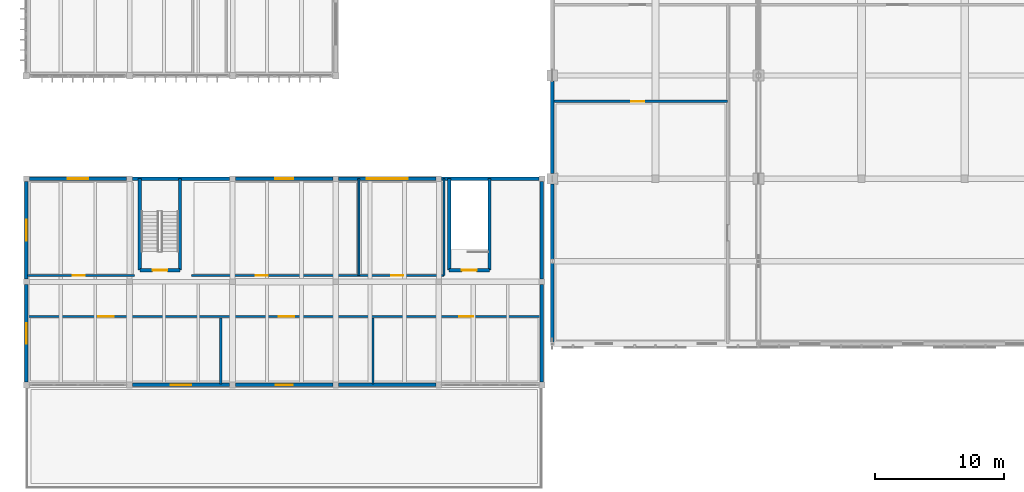
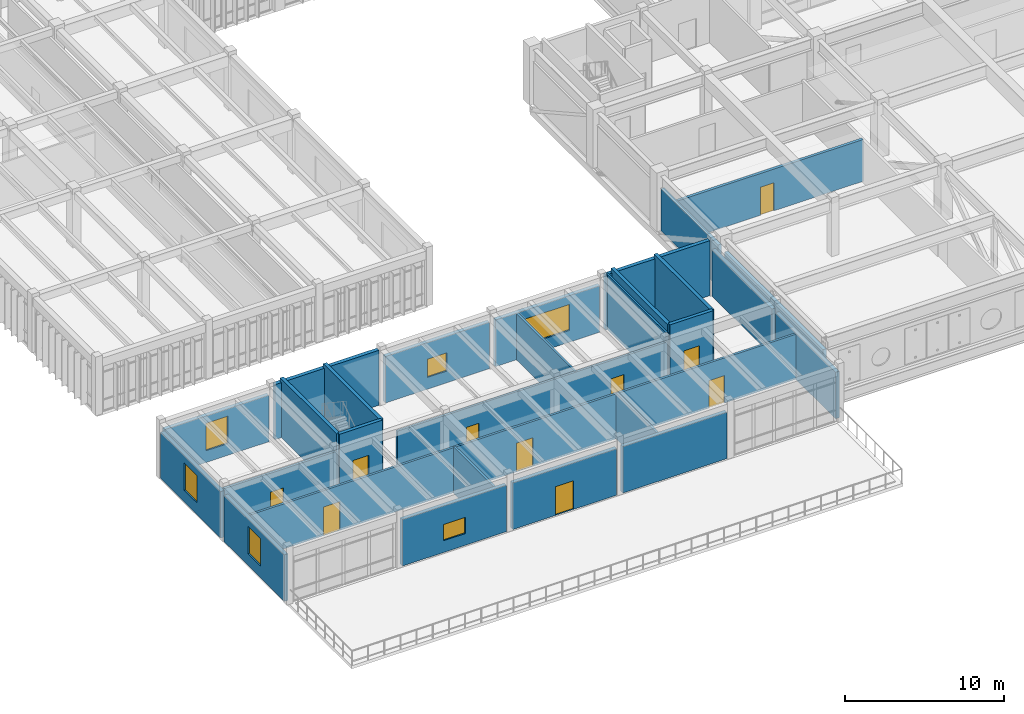
# One storey, part 53 of 79: 28 walls, 10 doors, 6 windows, 16 openings.
"""IFC4 building model written with IfcOpenShell, lengths in metres."""

from ifc_helpers import new_model, si_unit, direction, frame, frame_2d, origin, place, context, subcontext, project, spatial, rectangle, extrude, material, layer, layer_set, type_object, element, fill, save


model = new_model("IFC4")

# Units and contexts
model_context = context("Model", 3, precision=1e-05, world=origin(), true_north=direction((0.0, 1.0)))
body_context = subcontext(model_context, "Body", "Model", "MODEL_VIEW")
ifc_project = project(units=[si_unit("LENGTHUNIT", "METRE"), si_unit("AREAUNIT", "SQUARE_METRE"), si_unit("VOLUMEUNIT", "CUBIC_METRE"), si_unit("PLANEANGLEUNIT", "RADIAN"), si_unit("MASSUNIT", "GRAM", prefix="KILO")], contexts=[model_context])

# Site, building, storey
site_placement = place(None, origin())
site = spatial("IfcSite", under=ifc_project, at=site_placement, CompositionType="ELEMENT")
building_placement = place(site_placement, origin())
building = spatial("IfcBuilding", under=site, at=building_placement, Name="Tlaxcora Railside Police Headquarters", CompositionType="ELEMENT")
storey_placement = place(building_placement, frame((0.0, 0.0, 9.0)))
storey = spatial("IfcBuildingStorey", under=building, at=storey_placement, Name="L02", CompositionType="ELEMENT", Elevation=9.0)

# Wall, opening, door
ifc_material_1 = material(Name="Gypsum acoustic partition board")
ifc_layer_1 = layer(ifc_material_1, 0.16796875, Name="Gypsum acoustic partition board")
ifc_layer_set_1 = layer_set([ifc_layer_1], Name="Gypsum acoustic partition board")
wall_type_1 = type_object("IfcWallType", Name="Interior Partition Wall IW-31", PredefinedType="PARTITIONING", material=ifc_layer_set_1)
wall_1_placement = place(storey_placement, frame((5.280029296875, 28.5, 0.0), z_axis=(0.0, 0.0, 1.0), x_axis=(1.0, 0.0, 0.0)))
wall_1 = element("IfcWall", 1, at=wall_1_placement, inside=storey, type_object=wall_type_1, Name="V4 L02 interior partition 127", PredefinedType="PARTITIONING", context=body_context, shape_type="SweptSolid", body=[
    extrude(rectangle(XDim=8.320068359375, YDim=0.16796875, at=frame_2d((4.16015625, 0.0))), origin(), (0.0, 0.0, 1.0), 3.554931640625),
])
opening_1_placement = place(wall_1_placement, frame((3.5, 0.0, 0.0)))
opening_1 = element("IfcOpeningElement", 2, at=opening_1_placement, cuts=wall_1, Name="Opening D-L02-163", PredefinedType="OPENING", context=body_context, shape_type="SweptSolid", body=[
    extrude(rectangle(XDim=0.949951171875, YDim=2.10009765625, at=frame_2d((0.47509765625, 1.050048828125))), frame((0.0, 0.093994140625, 0.0), z_axis=(0.0, -1.0, 0.0), x_axis=(1.0, 0.0, 0.0)), (0.0, 0.0, 1.0), 0.18798828125),
])
ifc_material_2 = material(Name="Steel ASTM A992 Grade 50", Category="steel")
door_type_1 = type_object("IfcDoorType", Name="Swing or Sliding Personnel Door ID-87", OperationType="NOTDEFINED", PredefinedType="DOOR", material=ifc_material_2)
door_1_placement = place(opening_1_placement, origin())
door_1 = element("IfcDoor", 3, at=door_1_placement, inside=storey, type_object=door_type_1, Name="V4 L02 door D-L02-163", OperationType="SINGLE_SWING_LEFT", OverallHeight=2.10009765625, OverallWidth=0.949951171875, PredefinedType="DOOR", context=body_context, shape_type="SweptSolid", body=[
    extrude(rectangle(XDim=0.949951171875, YDim=2.10009765625, at=frame_2d((0.47509765625, 1.050048828125))), frame((0.0, 0.02490234375, 0.0), z_axis=(0.0, -1.0, 0.0), x_axis=(1.0, 0.0, 0.0)), (0.0, 0.0, 1.0), 0.050048828125),
])
fill(opening_1, door_1)

ifc_material_3 = material(Name="Pressed clay brick masonry", Category="masonry")
ifc_layer_2 = layer(ifc_material_3, 0.199951171875, Name="Pressed clay brick masonry")
ifc_layer_set_2 = layer_set([ifc_layer_2], Name="Pressed clay brick masonry")
wall_type_2 = type_object("IfcWallType", Name="Interior Partition Wall IW-60", PredefinedType="PARTITIONING", material=ifc_layer_set_2)
wall_2_placement = place(storey_placement, frame((46.0, 42.0, 0.0), z_axis=(0.0, 0.0, 1.0), x_axis=(1.0, 0.0, 0.0)))
wall_2 = element("IfcWall", 4, at=wall_2_placement, inside=storey, type_object=wall_type_2, Name="V2 L02 interior partition 133", PredefinedType="PARTITIONING", context=body_context, shape_type="SweptSolid", body=[
    extrude(rectangle(XDim=13.60009765625, YDim=0.199951171875, at=frame_2d((6.800048828125, 0.0))), origin(), (0.0, 0.0, 1.0), 3.205078125),
])
opening_2_placement = place(wall_2_placement, frame((6.1201171875, 0.0, 0.0)))
opening_2 = element("IfcOpeningElement", 5, at=opening_2_placement, cuts=wall_2, Name="Opening D-L02-168", PredefinedType="OPENING", context=body_context, shape_type="SweptSolid", body=[
    extrude(rectangle(XDim=1.0, YDim=2.14990234375, at=frame_2d((0.5, 1.074951171875))), frame((0.0, 0.10986328125, 0.0), z_axis=(0.0, -1.0, 0.0), x_axis=(1.0, 0.0, 0.0)), (0.0, 0.0, 1.0), 0.219970703125),
])
door_type_2 = type_object("IfcDoorType", Name="Swing or Sliding Personnel Door ID-55", OperationType="NOTDEFINED", PredefinedType="DOOR", material=ifc_material_2)
door_2_placement = place(opening_2_placement, origin())
door_2 = element("IfcDoor", 6, at=door_2_placement, inside=storey, type_object=door_type_2, Name="V2 L02 door D-L02-168", OperationType="SINGLE_SWING_RIGHT", OverallHeight=2.14990234375, OverallWidth=1.0, PredefinedType="DOOR", context=body_context, shape_type="SweptSolid", body=[
    extrude(rectangle(XDim=1.0, YDim=2.14990234375, at=frame_2d((0.5, 1.074951171875))), frame((0.0, 0.02490234375, 0.0), z_axis=(0.0, -1.0, 0.0), x_axis=(1.0, 0.0, 0.0)), (0.0, 0.0, 1.0), 0.050048828125),
])
fill(opening_2, door_2)

# Walls
ifc_layer_3 = layer(ifc_material_1, 0.159912109375, Name="Gypsum acoustic partition board")
ifc_layer_set_3 = layer_set([ifc_layer_3], Name="Gypsum acoustic partition board")
wall_type_3 = type_object("IfcWallType", Name="Interior Partition Wall IW-73", PredefinedType="PARTITIONING", material=ifc_layer_set_3)
for number, where, z_axis, x_axis, name in (
    (7, (20.27490234375, 20.080078125, 0.0), (0.0, 0.0, 1.0), (0.0, 1.0, 0.0), "V4 L02 interior partition 124"),
    (8, (32.094970703125, 20.080078125, 0.0), (0.0, 0.0, 1.0), (0.0, 1.0, 0.0), "V4 L02 interior partition 125"),
):
    element("IfcWall", number, at=place(storey_placement, frame(where, z_axis=z_axis, x_axis=x_axis)), inside=storey, type_object=wall_type_3, Name=name, PredefinedType="PARTITIONING", context=body_context, shape_type="SweptSolid", body=[
        extrude(rectangle(XDim=5.119873046875, YDim=0.159912109375, at=frame_2d((2.56005859375, 0.0))), origin(), (0.0, 0.0, 1.0), 3.554931640625),
    ])

# Wall, openings, doors
wall_3_placement = place(storey_placement, frame((5.280029296875, 25.300048828125, 0.0), z_axis=(0.0, 0.0, 1.0), x_axis=(1.0, 0.0, 0.0)))
wall_3 = element("IfcWall", 9, at=wall_3_placement, inside=storey, type_object=wall_type_3, Name="V4 L02 interior partition 126", PredefinedType="PARTITIONING", context=body_context, shape_type="SweptSolid", body=[
    extrude(rectangle(XDim=39.840087890625, YDim=0.159912109375, at=frame_2d((19.919921875, 0.0))), origin(), (0.0, 0.0, 1.0), 3.455078125),
])
opening_3_placement = place(wall_3_placement, frame((5.5, 0.0, 0.0)))
opening_3 = element("IfcOpeningElement", 10, at=opening_3_placement, cuts=wall_3, Name="Opening D-L02-160", PredefinedType="OPENING", context=body_context, shape_type="SweptSolid", body=[
    extrude(rectangle(XDim=1.199951171875, YDim=2.199951171875, at=frame_2d((0.60009765625, 1.10009765625))), frame((0.0, 0.08984375, 0.0), z_axis=(0.0, -1.0, 0.0), x_axis=(1.0, 0.0, 0.0)), (0.0, 0.0, 1.0), 0.179931640625),
])
opening_4_placement = place(wall_3_placement, frame((19.5, 0.0, 0.0)))
opening_4 = element("IfcOpeningElement", 11, at=opening_4_placement, cuts=wall_3, Name="Opening D-L02-161", PredefinedType="OPENING", context=body_context, shape_type="SweptSolid", body=[
    extrude(rectangle(XDim=1.199951171875, YDim=2.199951171875, at=frame_2d((0.60009765625, 1.10009765625))), frame((0.0, 0.08984375, 0.0), z_axis=(0.0, -1.0, 0.0), x_axis=(1.0, 0.0, 0.0)), (0.0, 0.0, 1.0), 0.179931640625),
])
opening_5_placement = place(wall_3_placement, frame((33.5, 0.0, 0.0)))
opening_5 = element("IfcOpeningElement", 12, at=opening_5_placement, cuts=wall_3, Name="Opening D-L02-162", PredefinedType="OPENING", context=body_context, shape_type="SweptSolid", body=[
    extrude(rectangle(XDim=1.10009765625, YDim=2.10009765625, at=frame_2d((0.550048828125, 1.050048828125))), frame((0.0, 0.08984375, 0.0), z_axis=(0.0, -1.0, 0.0), x_axis=(1.0, 0.0, 0.0)), (0.0, 0.0, 1.0), 0.179931640625),
])
door_type_3 = type_object("IfcDoorType", Name="Swing or Sliding Personnel Door ID-65", OperationType="NOTDEFINED", PredefinedType="DOOR", material=ifc_material_2)
door_3_placement = place(opening_3_placement, origin())
door_3 = element("IfcDoor", 13, at=door_3_placement, inside=storey, type_object=door_type_3, Name="V4 L02 door D-L02-160", OperationType="DOUBLE_DOOR_SINGLE_SWING", OverallHeight=2.199951171875, OverallWidth=1.199951171875, PredefinedType="DOOR", context=body_context, shape_type="SweptSolid", body=[
    extrude(rectangle(XDim=1.199951171875, YDim=2.199951171875, at=frame_2d((0.60009765625, 1.10009765625))), frame((0.0, 0.02490234375, 0.0), z_axis=(0.0, -1.0, 0.0), x_axis=(1.0, 0.0, 0.0)), (0.0, 0.0, 1.0), 0.050048828125),
])
fill(opening_3, door_3)
door_4_placement = place(opening_4_placement, origin())
door_4 = element("IfcDoor", 14, at=door_4_placement, inside=storey, type_object=door_type_3, Name="V4 L02 door D-L02-161", OperationType="DOUBLE_DOOR_SINGLE_SWING", OverallHeight=2.199951171875, OverallWidth=1.199951171875, PredefinedType="DOOR", context=body_context, shape_type="SweptSolid", body=[
    extrude(rectangle(XDim=1.199951171875, YDim=2.199951171875, at=frame_2d((0.60009765625, 1.10009765625))), frame((0.0, 0.02490234375, 0.0), z_axis=(0.0, -1.0, 0.0), x_axis=(1.0, 0.0, 0.0)), (0.0, 0.0, 1.0), 0.050048828125),
])
fill(opening_4, door_4)
door_type_4 = type_object("IfcDoorType", Name="Swing or Sliding Personnel Door ID-66", OperationType="NOTDEFINED", PredefinedType="DOOR", material=ifc_material_2)
door_5_placement = place(opening_5_placement, origin())
door_5 = element("IfcDoor", 15, at=door_5_placement, inside=storey, type_object=door_type_4, Name="V4 L02 door D-L02-162", OperationType="SINGLE_SWING_RIGHT", OverallHeight=2.10009765625, OverallWidth=1.10009765625, PredefinedType="DOOR", context=body_context, shape_type="SweptSolid", body=[
    extrude(rectangle(XDim=1.10009765625, YDim=2.10009765625, at=frame_2d((0.550048828125, 1.050048828125))), frame((0.0, 0.02490234375, 0.0), z_axis=(0.0, -1.0, 0.0), x_axis=(1.0, 0.0, 0.0)), (0.0, 0.0, 1.0), 0.050048828125),
])
fill(opening_5, door_5)

wall_4_placement = place(storey_placement, frame((18.0, 28.5, 0.0), z_axis=(0.0, 0.0, 1.0), x_axis=(1.0, 0.0, 0.0)))
wall_4 = element("IfcWall", 16, at=wall_4_placement, inside=storey, type_object=wall_type_3, Name="V4 L02 interior partition 128", PredefinedType="PARTITIONING", context=body_context, shape_type="SweptSolid", body=[
    extrude(rectangle(XDim=19.60009765625, YDim=0.159912109375, at=frame_2d((9.800048828125, 0.0))), origin(), (0.0, 0.0, 1.0), 3.554931640625),
])
opening_6_placement = place(wall_4_placement, frame((5.0, 0.0, 0.0)))
opening_6 = element("IfcOpeningElement", 17, at=opening_6_placement, cuts=wall_4, Name="Opening D-L02-164", PredefinedType="OPENING", context=body_context, shape_type="SweptSolid", body=[
    extrude(rectangle(XDim=0.919921875, YDim=2.10009765625, at=frame_2d((0.4599609375, 1.050048828125))), frame((0.0, 0.08984375, 0.0), z_axis=(0.0, -1.0, 0.0), x_axis=(1.0, 0.0, 0.0)), (0.0, 0.0, 1.0), 0.179931640625),
])
opening_7_placement = place(wall_4_placement, frame((15.5, 0.0, 0.0)))
opening_7 = element("IfcOpeningElement", 18, at=opening_7_placement, cuts=wall_4, Name="Opening D-L02-165", PredefinedType="OPENING", context=body_context, shape_type="SweptSolid", body=[
    extrude(rectangle(XDim=0.949951171875, YDim=2.14990234375, at=frame_2d((0.47509765625, 1.074951171875))), frame((0.0, 0.08984375, 0.0), z_axis=(0.0, -1.0, 0.0), x_axis=(1.0, 0.0, 0.0)), (0.0, 0.0, 1.0), 0.179931640625),
])
door_type_5 = type_object("IfcDoorType", Name="Swing or Sliding Personnel Door ID-31", OperationType="NOTDEFINED", PredefinedType="DOOR", material=ifc_material_2)
door_6_placement = place(opening_7_placement, origin())
door_6 = element("IfcDoor", 19, at=door_6_placement, inside=storey, type_object=door_type_5, Name="V4 L02 door D-L02-165", OperationType="SINGLE_SWING_LEFT", OverallHeight=2.14990234375, OverallWidth=0.949951171875, PredefinedType="DOOR", context=body_context, shape_type="SweptSolid", body=[
    extrude(rectangle(XDim=0.949951171875, YDim=2.14990234375, at=frame_2d((0.47509765625, 1.074951171875))), frame((0.0, 0.02490234375, 0.0), z_axis=(0.0, -1.0, 0.0), x_axis=(1.0, 0.0, 0.0)), (0.0, 0.0, 1.0), 0.050048828125),
])
fill(opening_7, door_6)
door_type_6 = type_object("IfcDoorType", Name="Swing or Sliding Personnel Door ID-49", OperationType="NOTDEFINED", PredefinedType="DOOR", material=ifc_material_2)
door_7_placement = place(opening_6_placement, origin())
door_7 = element("IfcDoor", 20, at=door_7_placement, inside=storey, type_object=door_type_6, Name="V4 L02 door D-L02-164", OperationType="SINGLE_SWING_RIGHT", OverallHeight=2.10009765625, OverallWidth=0.919921875, PredefinedType="DOOR", context=body_context, shape_type="SweptSolid", body=[
    extrude(rectangle(XDim=0.919921875, YDim=2.10009765625, at=frame_2d((0.4599609375, 1.050048828125))), frame((0.0, 0.02490234375, 0.0), z_axis=(0.0, -1.0, 0.0), x_axis=(1.0, 0.0, 0.0)), (0.0, 0.0, 1.0), 0.050048828125),
])
fill(opening_6, door_7)

# Walls
ifc_layer_4 = layer(ifc_material_1, 0.139892578125, Name="Gypsum acoustic partition board")
ifc_layer_set_4 = layer_set([ifc_layer_4], Name="Gypsum acoustic partition board")
wall_type_4 = type_object("IfcWallType", Name="Interior Partition Wall IW-86", PredefinedType="PARTITIONING", material=ifc_layer_set_4)
wall_5_placement = place(storey_placement, frame((37.60009765625, 28.5, 0.0), z_axis=(0.0, 0.0, 1.0), x_axis=(0.0, 1.0, 0.0)))
element("IfcWall", 21, at=wall_5_placement, inside=storey, type_object=wall_type_4, Name="V4 L02 interior partition 130", PredefinedType="PARTITIONING", context=body_context, shape_type="SweptSolid", body=[
    extrude(rectangle(XDim=7.5, YDim=0.139892578125, at=frame_2d((3.75, 0.0))), origin(), (0.0, 0.0, 1.0), 4.219970703125),
])
ifc_layer_5 = layer(ifc_material_1, 0.14990234375, Name="Gypsum acoustic partition board")
ifc_layer_set_5 = layer_set([ifc_layer_5], Name="Gypsum acoustic partition board")
wall_type_5 = type_object("IfcWallType", Name="Interior Partition Wall IW-91", PredefinedType="PARTITIONING", material=ifc_layer_set_5)
wall_6_placement = place(storey_placement, frame((31.0, 28.5, 0.0), z_axis=(0.0, 0.0, 1.0), x_axis=(0.0, 1.0, 0.0)))
element("IfcWall", 22, at=wall_6_placement, inside=storey, type_object=wall_type_5, Name="V4 L02 interior partition 129", PredefinedType="PARTITIONING", context=body_context, shape_type="SweptSolid", body=[
    extrude(rectangle(XDim=7.5, YDim=0.14990234375, at=frame_2d((3.75, 0.0))), origin(), (0.0, 0.0, 1.0), 3.554931640625),
])

# Wall, opening, door
ifc_material_4 = material(Name="Concrete C40/50", Category="concrete")
ifc_layer_6 = layer(ifc_material_4, 0.25, Name="Concrete C40/50")
ifc_layer_set_6 = layer_set([ifc_layer_6], Name="Concrete C40/50")
wall_type_6 = type_object("IfcWallType", Name="Shear Core Wall IW-13", PredefinedType="SHEAR", material=ifc_layer_set_6)
wall_7_placement = place(storey_placement, frame((14.0, 28.89990234375, 0.0), z_axis=(0.0, 0.0, 1.0), x_axis=(1.0, 0.0, 0.0)))
wall_7 = element("IfcWall", 23, at=wall_7_placement, inside=storey, type_object=wall_type_6, Name="CORE-C6 L02 stair core wall S", PredefinedType="SHEAR", context=body_context, shape_type="SweptSolid", body=[
    extrude(rectangle(XDim=3.1201171875, YDim=0.25, at=frame_2d((1.56005859375, 0.0))), origin(), (0.0, 0.0, 1.0), 4.5),
])
opening_8_placement = place(wall_7_placement, frame((0.985107421875, 0.0, 0.0)))
opening_8 = element("IfcOpeningElement", 24, at=opening_8_placement, cuts=wall_7, Name="Opening SD-L02-043", PredefinedType="OPENING", context=body_context, shape_type="SweptSolid", body=[
    extrude(rectangle(XDim=1.14990234375, YDim=2.14990234375, at=frame_2d((0.574951171875, 1.074951171875))), frame((0.0, 0.135009765625, 0.0), z_axis=(0.0, -1.0, 0.0), x_axis=(1.0, 0.0, 0.0)), (0.0, 0.0, 1.0), 0.27001953125),
])
door_type_7 = type_object("IfcDoorType", Name="Swing or Sliding Personnel Door ID-73", OperationType="NOTDEFINED", PredefinedType="DOOR", material=ifc_material_2)
door_8_placement = place(opening_8_placement, origin())
door_8 = element("IfcDoor", 25, at=door_8_placement, inside=storey, type_object=door_type_7, Name="Stair ST6 L02 enclosure fire door", OperationType="SINGLE_SWING_LEFT", OverallHeight=2.14990234375, OverallWidth=1.14990234375, PredefinedType="DOOR", context=body_context, shape_type="SweptSolid", body=[
    extrude(rectangle(XDim=1.14990234375, YDim=2.14990234375, at=frame_2d((0.574951171875, 1.074951171875))), frame((0.0, 0.02490234375, 0.0), z_axis=(0.0, -1.0, 0.0), x_axis=(1.0, 0.0, 0.0)), (0.0, 0.0, 1.0), 0.050048828125),
])
fill(opening_8, door_8)

# Walls
for number, where, z_axis, x_axis, name in (
    (26, (17.1201171875, 28.89990234375, 0.0), (0.0, 0.0, 1.0), (0.0, 1.0, 0.0), "CORE-C6 L02 stair core wall E"),
    (27, (14.0, 36.0, 0.0), (0.0, 0.0, 1.0), (0.0, -1.0, 0.0), "CORE-C6 L02 stair core wall W"),
):
    element("IfcWall", number, at=place(storey_placement, frame(where, z_axis=z_axis, x_axis=x_axis)), inside=storey, type_object=wall_type_6, Name=name, PredefinedType="SHEAR", context=body_context, shape_type="SweptSolid", body=[
        extrude(rectangle(XDim=7.10009765625, YDim=0.25, at=frame_2d((3.550048828125, 0.0))), origin(), (0.0, 0.0, 1.0), 4.5),
    ])

# Wall, opening, door
wall_8_placement = place(storey_placement, frame((38.0, 28.89990234375, 0.0), z_axis=(0.0, 0.0, 1.0), x_axis=(1.0, 0.0, 0.0)))
wall_8 = element("IfcWall", 28, at=wall_8_placement, inside=storey, type_object=wall_type_6, Name="CORE-C6B L02 stair core wall S", PredefinedType="SHEAR", context=body_context, shape_type="SweptSolid", body=[
    extrude(rectangle(XDim=3.1201171875, YDim=0.25, at=frame_2d((1.56005859375, 0.0))), origin(), (0.0, 0.0, 1.0), 4.5),
])
opening_9_placement = place(wall_8_placement, frame((0.985107421875, 0.0, 0.0)))
opening_9 = element("IfcOpeningElement", 29, at=opening_9_placement, cuts=wall_8, Name="Opening SD-L02-046", PredefinedType="OPENING", context=body_context, shape_type="SweptSolid", body=[
    extrude(rectangle(XDim=1.14990234375, YDim=2.14990234375, at=frame_2d((0.574951171875, 1.074951171875))), frame((0.0, 0.135009765625, 0.0), z_axis=(0.0, -1.0, 0.0), x_axis=(1.0, 0.0, 0.0)), (0.0, 0.0, 1.0), 0.27001953125),
])
door_9_placement = place(opening_9_placement, origin())
door_9 = element("IfcDoor", 30, at=door_9_placement, inside=storey, type_object=door_type_7, Name="Stair ST10 L02 enclosure fire door", OperationType="SINGLE_SWING_RIGHT", OverallHeight=2.14990234375, OverallWidth=1.14990234375, PredefinedType="DOOR", context=body_context, shape_type="SweptSolid", body=[
    extrude(rectangle(XDim=1.14990234375, YDim=2.14990234375, at=frame_2d((0.574951171875, 1.074951171875))), frame((0.0, 0.02490234375, 0.0), z_axis=(0.0, -1.0, 0.0), x_axis=(1.0, 0.0, 0.0)), (0.0, 0.0, 1.0), 0.050048828125),
])
fill(opening_9, door_9)

# Walls
for number, where, z_axis, x_axis, name in (
    (31, (41.1201171875, 28.89990234375, 0.0), (0.0, 0.0, 1.0), (0.0, 1.0, 0.0), "CORE-C6B L02 stair core wall E"),
    (32, (38.0, 36.0, 0.0), (0.0, 0.0, 1.0), (0.0, -1.0, 0.0), "CORE-C6B L02 stair core wall W"),
):
    element("IfcWall", number, at=place(storey_placement, frame(where, z_axis=z_axis, x_axis=x_axis)), inside=storey, type_object=wall_type_6, Name=name, PredefinedType="SHEAR", context=body_context, shape_type="SweptSolid", body=[
        extrude(rectangle(XDim=7.10009765625, YDim=0.25, at=frame_2d((3.550048828125, 0.0))), origin(), (0.0, 0.0, 1.0), 4.5),
    ])

# Wall, opening, window
ifc_layer_7 = layer(ifc_material_3, 0.27490234375, Name="Pressed clay brick masonry")
ifc_layer_set_7 = layer_set([ifc_layer_7], Name="Pressed clay brick masonry")
wall_type_7 = type_object("IfcWallType", Name="Structural Bearing Wall EW-84", PredefinedType="SOLIDWALL", material=ifc_layer_set_7)
wall_9_placement = place(storey_placement, frame((13.425048828125, 20.0, 0.0), z_axis=(0.0, 0.0, 1.0), x_axis=(1.0, 0.0, 0.0)))
wall_9 = element("IfcWall", 33, at=wall_9_placement, inside=storey, type_object=wall_type_7, Name="V4 L02 exterior wall 0.1", PredefinedType="SOLIDWALL", context=body_context, shape_type="SweptSolid", body=[
    extrude(rectangle(XDim=7.550048828125, YDim=0.27490234375, at=frame_2d((3.77490234375, 0.0))), origin(), (0.0, 0.0, 1.0), 3.570068359375),
])
opening_10_placement = place(wall_9_placement, frame((2.97509765625, 0.0, 0.89990234375)))
opening_10 = element("IfcOpeningElement", 34, at=opening_10_placement, cuts=wall_9, Name="Opening WN-63", PredefinedType="OPENING", context=body_context, shape_type="SweptSolid", body=[
    extrude(rectangle(XDim=1.60009765625, YDim=1.25, at=frame_2d((0.800048828125, 0.625))), frame((0.0, 0.1474609375, 0.0), z_axis=(0.0, -1.0, 0.0), x_axis=(1.0, 0.0, 0.0)), (0.0, 0.0, 1.0), 0.294921875),
])
ifc_material_5 = material(Name="Thermally broken low-E insulated glazing", Category="glass")
window_type_1 = type_object("IfcWindowType", Name="Exterior Framed or Circular Window WN-63", PartitioningType="SINGLE_PANEL", PredefinedType="WINDOW", material=ifc_material_5)
window_1_placement = place(opening_10_placement, origin())
window_1 = element("IfcWindow", 35, at=window_1_placement, inside=storey, type_object=window_type_1, Name="V4 L02 window 82", OverallHeight=1.25, OverallWidth=1.60009765625, PartitioningType="SINGLE_PANEL", PredefinedType="WINDOW", context=body_context, shape_type="SweptSolid", body=[
    extrude(rectangle(XDim=1.60009765625, YDim=1.25, at=frame_2d((0.800048828125, 0.625))), frame((0.0, 0.030029296875, 0.0), z_axis=(0.0, -1.0, 0.0), x_axis=(1.0, 0.0, 0.0)), (0.0, 0.0, 1.0), 0.06005859375),
])
fill(opening_10, window_1)

# Wall, opening, door
wall_10_placement = place(storey_placement, frame((21.425048828125, 20.0, 0.0), z_axis=(0.0, 0.0, 1.0), x_axis=(1.0, 0.0, 0.0)))
wall_10 = element("IfcWall", 36, at=wall_10_placement, inside=storey, type_object=wall_type_7, Name="V4 L02 exterior wall 0.2", PredefinedType="SOLIDWALL", context=body_context, shape_type="SweptSolid", body=[
    extrude(rectangle(XDim=7.550048828125, YDim=0.27490234375, at=frame_2d((3.77490234375, 0.0))), origin(), (0.0, 0.0, 1.0), 3.570068359375),
])
opening_11_placement = place(wall_10_placement, frame((3.125, 0.0, 0.0)))
opening_11 = element("IfcOpeningElement", 37, at=opening_11_placement, cuts=wall_10, Name="Opening TD-01", PredefinedType="OPENING", context=body_context, shape_type="SweptSolid", body=[
    extrude(rectangle(XDim=1.300048828125, YDim=2.199951171875, at=frame_2d((0.64990234375, 1.10009765625))), frame((0.0, 0.1474609375, 0.0), z_axis=(0.0, -1.0, 0.0), x_axis=(1.0, 0.0, 0.0)), (0.0, 0.0, 1.0), 0.294921875),
])
ifc_material_6 = material(Name="Anodised aluminium framing", Category="aluminium")
door_type_8 = type_object("IfcDoorType", Name="Swing or Sliding Personnel Door ED-62", OperationType="NOTDEFINED", PredefinedType="DOOR", material=ifc_material_6)
door_10_placement = place(opening_11_placement, frame((1.300048828125, 0.0, 0.0), z_axis=(0.0, 0.0, 1.0), x_axis=(-1.0, 0.0, 0.0)))
door_10 = element("IfcDoor", 38, at=door_10_placement, inside=storey, type_object=door_type_8, Name="V4 L02 planted terrace access door", OperationType="SINGLE_SWING_LEFT", OverallHeight=2.199951171875, OverallWidth=1.300048828125, PredefinedType="DOOR", context=body_context, shape_type="SweptSolid", body=[
    extrude(rectangle(XDim=1.300048828125, YDim=2.199951171875, at=frame_2d((0.64990234375, 1.10009765625))), frame((0.0, 0.02490234375, 0.0), z_axis=(0.0, -1.0, 0.0), x_axis=(1.0, 0.0, 0.0)), (0.0, 0.0, 1.0), 0.050048828125),
])
fill(opening_11, door_10)

# Walls
wall_11_placement = place(storey_placement, frame((29.425048828125, 20.0, 0.0), z_axis=(0.0, 0.0, 1.0), x_axis=(1.0, 0.0, 0.0)))
element("IfcWall", 39, at=wall_11_placement, inside=storey, type_object=wall_type_7, Name="V4 L02 exterior wall 0.3", PredefinedType="SOLIDWALL", context=body_context, shape_type="SweptSolid", body=[
    extrude(rectangle(XDim=7.550048828125, YDim=0.27490234375, at=frame_2d((3.77490234375, 0.0))), origin(), (0.0, 0.0, 1.0), 3.570068359375),
])
for number, where, z_axis, x_axis, name in (
    (40, (45.199951171875, 20.22509765625, 0.0), (0.0, 0.0, 1.0), (0.0, 1.0, 0.0), "V4 L02 exterior wall 1.0"),
    (41, (45.199951171875, 28.22509765625, 0.0), (0.0, 0.0, 1.0), (0.0, 1.0, 0.0), "V4 L02 exterior wall 1.1"),
):
    element("IfcWall", number, at=place(storey_placement, frame(where, z_axis=z_axis, x_axis=x_axis)), inside=storey, type_object=wall_type_7, Name=name, PredefinedType="SOLIDWALL", context=body_context, shape_type="SweptSolid", body=[
        extrude(rectangle(XDim=7.5498046875, YDim=0.27490234375, at=frame_2d((3.77490234375, 0.0))), origin(), (0.0, 0.0, 1.0), 3.570068359375),
    ])
wall_12_placement = place(storey_placement, frame((44.97509765625, 36.0, 0.0), z_axis=(0.0, 0.0, 1.0), x_axis=(-1.0, 0.0, 0.0)))
element("IfcWall", 42, at=wall_12_placement, inside=storey, type_object=wall_type_7, Name="V4 L02 exterior wall 2.0", PredefinedType="SOLIDWALL", context=body_context, shape_type="SweptSolid", body=[
    extrude(rectangle(XDim=7.550048828125, YDim=0.27490234375, at=frame_2d((3.77490234375, 0.0))), origin(), (0.0, 0.0, 1.0), 4.219970703125),
])

# Wall, opening, window
wall_13_placement = place(storey_placement, frame((36.97509765625, 36.0, 0.0), z_axis=(0.0, 0.0, 1.0), x_axis=(-1.0, 0.0, 0.0)))
wall_13 = element("IfcWall", 43, at=wall_13_placement, inside=storey, type_object=wall_type_7, Name="V4 L02 exterior wall 2.1", PredefinedType="SOLIDWALL", context=body_context, shape_type="SweptSolid", body=[
    extrude(rectangle(XDim=7.550048828125, YDim=0.27490234375, at=frame_2d((3.77490234375, 0.0))), origin(), (0.0, 0.0, 1.0), 3.570068359375),
])
opening_12_placement = place(wall_13_placement, frame((2.175048828125, 0.0, 0.89990234375)))
opening_12 = element("IfcOpeningElement", 44, at=opening_12_placement, cuts=wall_13, Name="Opening WN-64", PredefinedType="OPENING", context=body_context, shape_type="SweptSolid", body=[
    extrude(rectangle(XDim=3.199951171875, YDim=2.0, at=frame_2d((1.60009765625, 1.0))), frame((0.0, 0.1474609375, 0.0), z_axis=(0.0, -1.0, 0.0), x_axis=(1.0, 0.0, 0.0)), (0.0, 0.0, 1.0), 0.294921875),
])
window_type_2 = type_object("IfcWindowType", Name="Exterior Framed or Circular Window WN-64", PartitioningType="SINGLE_PANEL", PredefinedType="WINDOW", material=ifc_material_5)
window_2_placement = place(opening_12_placement, origin())
window_2 = element("IfcWindow", 45, at=window_2_placement, inside=storey, type_object=window_type_2, Name="V4 L02 window 83", OverallHeight=2.0, OverallWidth=3.199951171875, PartitioningType="SINGLE_PANEL", PredefinedType="WINDOW", context=body_context, shape_type="SweptSolid", body=[
    extrude(rectangle(XDim=3.199951171875, YDim=2.0, at=frame_2d((1.60009765625, 1.0))), frame((0.0, 0.030029296875, 0.0), z_axis=(0.0, -1.0, 0.0), x_axis=(1.0, 0.0, 0.0)), (0.0, 0.0, 1.0), 0.06005859375),
])
fill(opening_12, window_2)

wall_14_placement = place(storey_placement, frame((28.97509765625, 36.0, 0.0), z_axis=(0.0, 0.0, 1.0), x_axis=(-1.0, 0.0, 0.0)))
wall_14 = element("IfcWall", 46, at=wall_14_placement, inside=storey, type_object=wall_type_7, Name="V4 L02 exterior wall 2.2", PredefinedType="SOLIDWALL", context=body_context, shape_type="SweptSolid", body=[
    extrude(rectangle(XDim=7.550048828125, YDim=0.27490234375, at=frame_2d((3.77490234375, 0.0))), origin(), (0.0, 0.0, 1.0), 3.570068359375),
])
opening_13_placement = place(wall_14_placement, frame((3.074951171875, 0.0, 0.89990234375)))
opening_13 = element("IfcOpeningElement", 47, at=opening_13_placement, cuts=wall_14, Name="Opening WN-22", PredefinedType="OPENING", context=body_context, shape_type="SweptSolid", body=[
    extrude(rectangle(XDim=1.39990234375, YDim=1.39990234375, at=frame_2d((0.699951171875, 0.699951171875))), frame((0.0, 0.1474609375, 0.0), z_axis=(0.0, -1.0, 0.0), x_axis=(1.0, 0.0, 0.0)), (0.0, 0.0, 1.0), 0.294921875),
])
window_type_3 = type_object("IfcWindowType", Name="Exterior Framed or Circular Window WN-22", PartitioningType="SINGLE_PANEL", PredefinedType="WINDOW", material=ifc_material_5)
window_3_placement = place(opening_13_placement, origin())
window_3 = element("IfcWindow", 48, at=window_3_placement, inside=storey, type_object=window_type_3, Name="V4 L02 window 84", OverallHeight=1.39990234375, OverallWidth=1.39990234375, PartitioningType="SINGLE_PANEL", PredefinedType="WINDOW", context=body_context, shape_type="SweptSolid", body=[
    extrude(rectangle(XDim=1.39990234375, YDim=1.39990234375, at=frame_2d((0.699951171875, 0.699951171875))), frame((0.0, 0.030029296875, 0.0), z_axis=(0.0, -1.0, 0.0), x_axis=(1.0, 0.0, 0.0)), (0.0, 0.0, 1.0), 0.06005859375),
])
fill(opening_13, window_3)

# Wall
wall_15_placement = place(storey_placement, frame((20.97509765625, 36.0, 0.0), z_axis=(0.0, 0.0, 1.0), x_axis=(-1.0, 0.0, 0.0)))
element("IfcWall", 49, at=wall_15_placement, inside=storey, type_object=wall_type_7, Name="V4 L02 exterior wall 2.3", PredefinedType="SOLIDWALL", context=body_context, shape_type="SweptSolid", body=[
    extrude(rectangle(XDim=7.550048828125, YDim=0.27490234375, at=frame_2d((3.77490234375, 0.0))), origin(), (0.0, 0.0, 1.0), 4.219970703125),
])

# Wall, opening, window
wall_16_placement = place(storey_placement, frame((12.97509765625, 36.0, 0.0), z_axis=(0.0, 0.0, 1.0), x_axis=(-1.0, 0.0, 0.0)))
wall_16 = element("IfcWall", 50, at=wall_16_placement, inside=storey, type_object=wall_type_7, Name="V4 L02 exterior wall 2.4", PredefinedType="SOLIDWALL", context=body_context, shape_type="SweptSolid", body=[
    extrude(rectangle(XDim=7.550048828125, YDim=0.27490234375, at=frame_2d((3.77490234375, 0.0))), origin(), (0.0, 0.0, 1.0), 3.570068359375),
])
opening_14_placement = place(wall_16_placement, frame((2.97509765625, 0.0, 0.89990234375)))
opening_14 = element("IfcOpeningElement", 51, at=opening_14_placement, cuts=wall_16, Name="Opening WN-54", PredefinedType="OPENING", context=body_context, shape_type="SweptSolid", body=[
    extrude(rectangle(XDim=1.60009765625, YDim=2.10009765625, at=frame_2d((0.800048828125, 1.050048828125))), frame((0.0, 0.1474609375, 0.0), z_axis=(0.0, -1.0, 0.0), x_axis=(1.0, 0.0, 0.0)), (0.0, 0.0, 1.0), 0.294921875),
])
window_type_4 = type_object("IfcWindowType", Name="Exterior Framed or Circular Window WN-54", PartitioningType="SINGLE_PANEL", PredefinedType="WINDOW", material=ifc_material_5)
window_4_placement = place(opening_14_placement, origin())
window_4 = element("IfcWindow", 52, at=window_4_placement, inside=storey, type_object=window_type_4, Name="V4 L02 window 85", OverallHeight=2.10009765625, OverallWidth=1.60009765625, PartitioningType="SINGLE_PANEL", PredefinedType="WINDOW", context=body_context, shape_type="SweptSolid", body=[
    extrude(rectangle(XDim=1.60009765625, YDim=2.10009765625, at=frame_2d((0.800048828125, 1.050048828125))), frame((0.0, 0.030029296875, 0.0), z_axis=(0.0, -1.0, 0.0), x_axis=(1.0, 0.0, 0.0)), (0.0, 0.0, 1.0), 0.06005859375),
])
fill(opening_14, window_4)

wall_17_placement = place(storey_placement, frame((5.199951171875, 35.77490234375, 0.0), z_axis=(0.0, 0.0, 1.0), x_axis=(0.0, -1.0, 0.0)))
wall_17 = element("IfcWall", 53, at=wall_17_placement, inside=storey, type_object=wall_type_7, Name="V4 L02 exterior wall 3.0", PredefinedType="SOLIDWALL", context=body_context, shape_type="SweptSolid", body=[
    extrude(rectangle(XDim=7.5498046875, YDim=0.27490234375, at=frame_2d((3.77490234375, 0.0))), origin(), (0.0, 0.0, 1.0), 3.570068359375),
])
opening_15_placement = place(wall_17_placement, frame((2.97509765625, 0.0, 0.89990234375)))
opening_15 = element("IfcOpeningElement", 54, at=opening_15_placement, cuts=wall_17, Name="Opening WN-54", PredefinedType="OPENING", context=body_context, shape_type="SweptSolid", body=[
    extrude(rectangle(XDim=1.60009765625, YDim=2.10009765625, at=frame_2d((0.800048828125, 1.050048828125))), frame((0.0, 0.1474609375, 0.0), z_axis=(0.0, -1.0, 0.0), x_axis=(1.0, 0.0, 0.0)), (0.0, 0.0, 1.0), 0.294921875),
])
window_5_placement = place(opening_15_placement, origin())
window_5 = element("IfcWindow", 55, at=window_5_placement, inside=storey, type_object=window_type_4, Name="V4 L02 window 86", OverallHeight=2.10009765625, OverallWidth=1.60009765625, PartitioningType="SINGLE_PANEL", PredefinedType="WINDOW", context=body_context, shape_type="SweptSolid", body=[
    extrude(rectangle(XDim=1.60009765625, YDim=2.10009765625, at=frame_2d((0.800048828125, 1.050048828125))), frame((0.0, 0.030029296875, 0.0), z_axis=(0.0, -1.0, 0.0), x_axis=(1.0, 0.0, 0.0)), (0.0, 0.0, 1.0), 0.06005859375),
])
fill(opening_15, window_5)

wall_18_placement = place(storey_placement, frame((5.199951171875, 27.77490234375, 0.0), z_axis=(0.0, 0.0, 1.0), x_axis=(0.0, -1.0, 0.0)))
wall_18 = element("IfcWall", 56, at=wall_18_placement, inside=storey, type_object=wall_type_7, Name="V4 L02 exterior wall 3.1", PredefinedType="SOLIDWALL", context=body_context, shape_type="SweptSolid", body=[
    extrude(rectangle(XDim=7.5498046875, YDim=0.27490234375, at=frame_2d((3.77490234375, 0.0))), origin(), (0.0, 0.0, 1.0), 3.570068359375),
])
opening_16_placement = place(wall_18_placement, frame((2.97509765625, 0.0, 0.89990234375)))
opening_16 = element("IfcOpeningElement", 57, at=opening_16_placement, cuts=wall_18, Name="Opening WN-54", PredefinedType="OPENING", context=body_context, shape_type="SweptSolid", body=[
    extrude(rectangle(XDim=1.60009765625, YDim=2.10009765625, at=frame_2d((0.800048828125, 1.050048828125))), frame((0.0, 0.1474609375, 0.0), z_axis=(0.0, -1.0, 0.0), x_axis=(1.0, 0.0, 0.0)), (0.0, 0.0, 1.0), 0.294921875),
])
window_6_placement = place(opening_16_placement, origin())
window_6 = element("IfcWindow", 58, at=window_6_placement, inside=storey, type_object=window_type_4, Name="V4 L02 window 87", OverallHeight=2.10009765625, OverallWidth=1.60009765625, PartitioningType="SINGLE_PANEL", PredefinedType="WINDOW", context=body_context, shape_type="SweptSolid", body=[
    extrude(rectangle(XDim=1.60009765625, YDim=2.10009765625, at=frame_2d((0.800048828125, 1.050048828125))), frame((0.0, 0.030029296875, 0.0), z_axis=(0.0, -1.0, 0.0), x_axis=(1.0, 0.0, 0.0)), (0.0, 0.0, 1.0), 0.06005859375),
])
fill(opening_16, window_6)

# Walls
ifc_material_7 = material(Name="Precast concrete C40/50", Category="concrete")
ifc_layer_8 = layer(ifc_material_7, 0.2451171875, Name="Precast concrete C40/50")
ifc_layer_set_8 = layer_set([ifc_layer_8], Name="Precast concrete C40/50")
wall_type_8 = type_object("IfcWallType", Name="Structural Bearing Wall EW-94", PredefinedType="SOLIDWALL", material=ifc_layer_set_8)
wall_19_placement = place(storey_placement, frame((46.0, 43.574951171875, 0.0), z_axis=(0.0, 0.0, 1.0), x_axis=(0.0, -1.0, 0.0)))
element("IfcWall", 59, at=wall_19_placement, inside=storey, type_object=wall_type_8, Name="V2 L02 exterior wall 3.2", PredefinedType="SOLIDWALL", context=body_context, shape_type="SweptSolid", body=[
    extrude(rectangle(XDim=7.14990234375, YDim=0.2451171875, at=frame_2d((3.574951171875, 0.0))), origin(), (0.0, 0.0, 1.0), 3.219970703125),
])
wall_20_placement = place(storey_placement, frame((46.0, 35.574951171875, 0.0), z_axis=(0.0, 0.0, 1.0), x_axis=(0.0, -1.0, 0.0)))
element("IfcWall", 60, at=wall_20_placement, inside=storey, type_object=wall_type_8, Name="V2 L02 exterior wall 3.3", PredefinedType="SOLIDWALL", context=body_context, shape_type="SweptSolid", body=[
    extrude(rectangle(XDim=12.375, YDim=0.2451171875, at=frame_2d((6.1875, 0.0))), origin(), (0.0, 0.0, 1.0), 3.219970703125),
])

save(model, "model.ifc")
